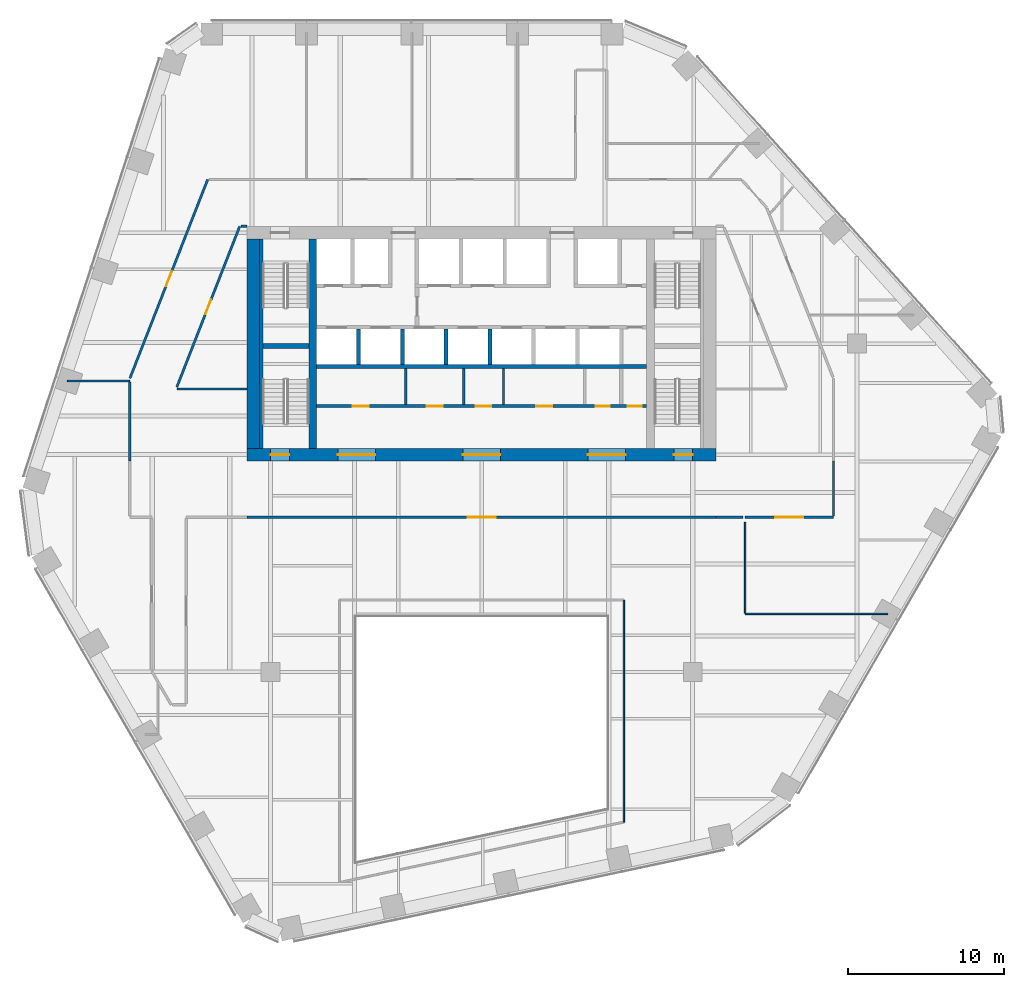
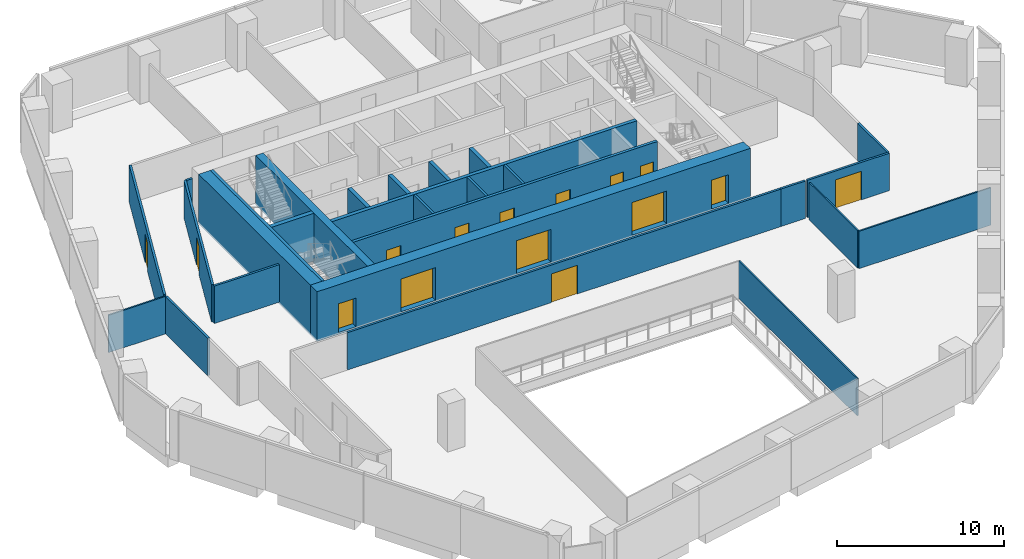
# One storey, part 11 of 16: 27 walls, 15 doors, 15 openings.
"""IFC4 building model written with IfcOpenShell, lengths in metres."""

from ifc_helpers import new_model, si_unit, direction, frame, frame_2d, origin, place, context, subcontext, project, spatial, rectangle, extrude, material, layer, layer_set, type_object, element, fill, save


model = new_model("IFC4")

# Units and contexts
model_context = context("Model", 3, precision=1e-05, world=origin(), true_north=direction((0.0, 1.0)))
body_context = subcontext(model_context, "Body", "Model", "MODEL_VIEW")
ifc_project = project(units=[si_unit("LENGTHUNIT", "METRE"), si_unit("AREAUNIT", "SQUARE_METRE"), si_unit("VOLUMEUNIT", "CUBIC_METRE"), si_unit("PLANEANGLEUNIT", "RADIAN"), si_unit("MASSUNIT", "GRAM", prefix="KILO")], contexts=[model_context])

# Site, building, storey
site_placement = place(None, origin())
site = spatial("IfcSite", under=ifc_project, at=site_placement, CompositionType="ELEMENT")
building_placement = place(site_placement, origin())
building = spatial("IfcBuilding", under=site, at=building_placement, Name="Isthmus Gate Tower", CompositionType="ELEMENT")
storey_placement = place(building_placement, frame((0.0, 0.0, 133.449951171875)))
storey = spatial("IfcBuildingStorey", under=building, at=storey_placement, Name="L32", CompositionType="ELEMENT", Elevation=133.449951171875)

# Wall
ifc_material_1 = material(Name="Fire-rated laminated glass in steel frame", Category="steel")
ifc_layer_1 = layer(ifc_material_1, 0.10009765625)
ifc_layer_set_1 = layer_set([ifc_layer_1], Name="ATRIUM SCREEN GLAZED WALL 100 120 MIN")
wall_type_1 = type_object("IfcWallType", Name="ATRIUM SCREEN GLAZED WALL 100 120 MIN", PredefinedType="PARTITIONING", material=ifc_layer_set_1)
wall_1_placement = place(storey_placement, frame((9.10009765625, -8.89990234375, 0.0), z_axis=(0.0, 0.0, 1.0), x_axis=(0.0, -1.0, 0.0)))
element("IfcWall", 1, at=wall_1_placement, inside=storey, type_object=wall_type_1, Name="L32 atrium screen", PredefinedType="PARTITIONING", context=body_context, shape_type="SweptSolid", body=[
    extrude(rectangle(XDim=14.200927734375, YDim=0.10009765625, at=frame_2d((7.1005859375, 0.0))), origin(), (0.0, 0.0, 1.0), 2.7412109375),
])

# Wall, opening, door
ifc_material_2 = material(Name="Gypsum board on steel studs, fire-rated", Category="steel")
ifc_layer_2 = layer(ifc_material_2, 0.14990234375)
ifc_layer_set_2 = layer_set([ifc_layer_2], Name="CORRIDOR WALL 150 60 MIN")
wall_type_2 = type_object("IfcWallType", Name="CORRIDOR WALL 150 60 MIN", PredefinedType="PARTITIONING", material=ifc_layer_set_2)
wall_2_placement = place(storey_placement, frame((15.0, -3.60009765625, 0.0), z_axis=(0.0, 0.0, 1.0), x_axis=(-1.0, 0.0, 0.0)))
wall_2 = element("IfcWall", 2, at=wall_2_placement, inside=storey, type_object=wall_type_2, Name="L32 Corridor Wall 150 60 Min", PredefinedType="PARTITIONING", context=body_context, shape_type="SweptSolid", body=[
    extrude(rectangle(XDim=30.0, YDim=0.14990234375, at=frame_2d((15.0, 0.0))), origin(), (0.0, 0.0, 1.0), 2.7412109375),
])
opening_1_placement = place(wall_2_placement, frame((14.10009765625, 0.0, 0.0)))
opening_1 = element("IfcOpeningElement", 3, at=opening_1_placement, cuts=wall_2, Name="Opening DT-T3A-09", PredefinedType="OPENING", context=body_context, shape_type="SweptSolid", body=[
    extrude(rectangle(XDim=1.800048828125, YDim=2.10009765625, at=frame_2d((0.89990234375, 1.050048828125))), frame((0.0, 0.0849609375, 0.0), z_axis=(0.0, -1.0, 0.0), x_axis=(1.0, 0.0, 0.0)), (0.0, 0.0, 1.0), 0.169921875),
])
ifc_material_3 = material(Name="Solid core timber door leaf, fire-rated", Category="wood")
door_type_1 = type_object("IfcDoorType", Name="FIRE DOOR ROOM 1800 X 2100 60 MIN", OperationType="DOUBLE_DOOR_DOUBLE_SWING", PredefinedType="DOOR", material=ifc_material_3)
door_1_placement = place(opening_1_placement, origin())
door_1 = element("IfcDoor", 4, at=door_1_placement, inside=storey, type_object=door_type_1, Name="L32 room door", OperationType="DOUBLE_DOOR_DOUBLE_SWING", OverallHeight=2.10009765625, OverallWidth=1.800048828125, PredefinedType="DOOR", context=body_context, shape_type="SweptSolid", body=[
    extrude(rectangle(XDim=1.800048828125, YDim=2.10009765625, at=frame_2d((0.89990234375, 1.050048828125))), frame((0.0, 0.02490234375, 0.0), z_axis=(0.0, -1.0, 0.0), x_axis=(1.0, 0.0, 0.0)), (0.0, 0.0, 1.0), 0.050048828125),
])
fill(opening_1, door_1)

wall_3_placement = place(storey_placement, frame((22.5, -3.60009765625, 0.0), z_axis=(0.0, 0.0, 1.0), x_axis=(-1.0, 0.0, 0.0)))
wall_3 = element("IfcWall", 5, at=wall_3_placement, inside=storey, type_object=wall_type_2, Name="L32 Corridor Wall 150 60 Min", PredefinedType="PARTITIONING", context=body_context, shape_type="SweptSolid", body=[
    extrude(rectangle(XDim=5.64990234375, YDim=0.14990234375, at=frame_2d((2.824951171875, 0.0))), origin(), (0.0, 0.0, 1.0), 2.7412109375),
])
opening_2_placement = place(wall_3_placement, frame((1.925048828125, 0.0, 0.0)))
opening_2 = element("IfcOpeningElement", 6, at=opening_2_placement, cuts=wall_3, Name="Opening DT-T3A-07", PredefinedType="OPENING", context=body_context, shape_type="SweptSolid", body=[
    extrude(rectangle(XDim=1.800048828125, YDim=2.10009765625, at=frame_2d((0.89990234375, 1.050048828125))), frame((0.0, 0.0849609375, 0.0), z_axis=(0.0, -1.0, 0.0), x_axis=(1.0, 0.0, 0.0)), (0.0, 0.0, 1.0), 0.169921875),
])
door_2_placement = place(opening_2_placement, origin())
door_2 = element("IfcDoor", 7, at=door_2_placement, inside=storey, type_object=door_type_1, Name="L32 room door", OperationType="DOUBLE_DOOR_DOUBLE_SWING", OverallHeight=2.10009765625, OverallWidth=1.800048828125, PredefinedType="DOOR", context=body_context, shape_type="SweptSolid", body=[
    extrude(rectangle(XDim=1.800048828125, YDim=2.10009765625, at=frame_2d((0.89990234375, 1.050048828125))), frame((0.0, 0.02490234375, 0.0), z_axis=(0.0, -1.0, 0.0), x_axis=(1.0, 0.0, 0.0)), (0.0, 0.0, 1.0), 0.050048828125),
])
fill(opening_2, door_2)

# Walls
wall_4_placement = place(storey_placement, frame((22.5, 0.0, 0.0), z_axis=(0.0, 0.0, 1.0), x_axis=(0.0, -1.0, 0.0)))
element("IfcWall", 8, at=wall_4_placement, inside=storey, type_object=wall_type_2, Name="L32 Corridor Wall 150 60 Min", PredefinedType="PARTITIONING", context=body_context, shape_type="SweptSolid", body=[
    extrude(rectangle(XDim=3.52490234375, YDim=0.14990234375, at=frame_2d((1.762451171875, 0.0))), origin(), (0.0, 0.0, 1.0), 2.7412109375),
])
wall_5_placement = place(storey_placement, frame((16.714111328125, -3.60009765625, 0.0), z_axis=(0.0, 0.0, 1.0), x_axis=(-1.0, 0.0, 0.0)))
element("IfcWall", 9, at=wall_5_placement, inside=storey, type_object=wall_type_2, Name="L32 Corridor Wall 150 60 Min", PredefinedType="PARTITIONING", context=body_context, shape_type="SweptSolid", body=[
    extrude(rectangle(XDim=1.714111328125, YDim=0.14990234375, at=frame_2d((0.85693359375, 0.0))), origin(), (0.0, 0.0, 1.0), 2.7412109375),
])

# Wall, opening, door
wall_6_placement = place(storey_placement, frame((-15.47607421875, 15.0, 0.0), z_axis=(0.0, 0.0, 1.0), x_axis=(-0.364411853206, -0.931237886494, 0.0)))
wall_6 = element("IfcWall", 10, at=wall_6_placement, inside=storey, type_object=wall_type_2, Name="L32 Corridor Wall 150 60 Min", PredefinedType="PARTITIONING", context=body_context, shape_type="SweptSolid", body=[
    extrude(rectangle(XDim=11.042236328125, YDim=0.14990234375, at=frame_2d((5.52099609375, 0.0))), origin(), (0.0, 0.0, 1.0), 2.7412109375),
])
opening_3_placement = place(wall_6_placement, frame((5.021240234375, 0.0, 0.0)))
opening_3 = element("IfcOpeningElement", 11, at=opening_3_placement, cuts=wall_6, Name="Opening DT-T3A-05", PredefinedType="OPENING", context=body_context, shape_type="SweptSolid", body=[
    extrude(rectangle(XDim=1.0, YDim=2.10009765625, at=frame_2d((0.5, 1.050048828125))), frame((0.0, 0.0849609375, 0.0), z_axis=(0.0, -1.0, 0.0), x_axis=(1.0, 0.0, 0.0)), (0.0, 0.0, 1.0), 0.169921875),
])
ifc_material_4 = material(Name="Solid core timber door leaf, fire-rated", Category="wood")
door_type_2 = type_object("IfcDoorType", Name="FIRE DOOR ROOM 1000 X 2100 60 MIN", OperationType="SINGLE_SWING_LEFT", PredefinedType="DOOR", material=ifc_material_4)
door_3_placement = place(opening_3_placement, origin())
door_3 = element("IfcDoor", 12, at=door_3_placement, inside=storey, type_object=door_type_2, Name="L32 room door", OperationType="SINGLE_SWING_RIGHT", OverallHeight=2.10009765625, OverallWidth=1.0, PredefinedType="DOOR", context=body_context, shape_type="SweptSolid", body=[
    extrude(rectangle(XDim=1.0, YDim=2.10009765625, at=frame_2d((0.5, 1.050048828125))), frame((0.0, 0.02490234375, 0.0), z_axis=(0.0, -1.0, 0.0), x_axis=(1.0, 0.0, 0.0)), (0.0, 0.0, 1.0), 0.050048828125),
])
fill(opening_3, door_3)

# Wall
wall_7_placement = place(storey_placement, frame((-15.0, 15.0, 0.0), z_axis=(0.0, 0.0, 1.0), x_axis=(-1.0, 0.0, 0.0)))
element("IfcWall", 13, at=wall_7_placement, inside=storey, type_object=wall_type_2, Name="L32 Corridor Wall 150 60 Min", PredefinedType="PARTITIONING", context=body_context, shape_type="SweptSolid", body=[
    extrude(rectangle(XDim=0.40087890625, YDim=0.14990234375, at=frame_2d((0.200439453125, 0.0))), origin(), (0.0, 0.0, 1.0), 2.7412109375),
])

# Wall, opening, door
wall_8_placement = place(storey_placement, frame((-22.5, 5.282958984375, 0.0), z_axis=(0.0, 0.0, 1.0), x_axis=(0.364389237236, 0.931246736256, 0.0)))
wall_8 = element("IfcWall", 14, at=wall_8_placement, inside=storey, type_object=wall_type_2, Name="L32 Corridor Wall 150 60 Min", PredefinedType="PARTITIONING", context=body_context, shape_type="SweptSolid", body=[
    extrude(rectangle(XDim=13.656005859375, YDim=0.14990234375, at=frame_2d((6.828125, 0.0))), origin(), (0.0, 0.0, 1.0), 2.7412109375),
])
opening_4_placement = place(wall_8_placement, frame((6.327880859375, 0.0, 0.0)))
opening_4 = element("IfcOpeningElement", 15, at=opening_4_placement, cuts=wall_8, Name="Opening DT-T3A-04", PredefinedType="OPENING", context=body_context, shape_type="SweptSolid", body=[
    extrude(rectangle(XDim=1.0, YDim=2.10009765625, at=frame_2d((0.5, 1.050048828125))), frame((0.0, 0.0849609375, 0.0), z_axis=(0.0, -1.0, 0.0), x_axis=(1.0, 0.0, 0.0)), (0.0, 0.0, 1.0), 0.169921875),
])
door_4_placement = place(opening_4_placement, origin())
door_4 = element("IfcDoor", 16, at=door_4_placement, inside=storey, type_object=door_type_2, Name="L32 room door", OperationType="SINGLE_SWING_RIGHT", OverallHeight=2.10009765625, OverallWidth=1.0, PredefinedType="DOOR", context=body_context, shape_type="SweptSolid", body=[
    extrude(rectangle(XDim=1.0, YDim=2.10009765625, at=frame_2d((0.5, 1.050048828125))), frame((0.0, 0.02490234375, 0.0), z_axis=(0.0, -1.0, 0.0), x_axis=(1.0, 0.0, 0.0)), (0.0, 0.0, 1.0), 0.050048828125),
])
fill(opening_4, door_4)

# Walls
wall_9_placement = place(storey_placement, frame((-19.5, 4.60009765625, 0.0), z_axis=(0.0, 0.0, 1.0), x_axis=(1.0, 0.0, 0.0)))
element("IfcWall", 17, at=wall_9_placement, inside=storey, type_object=wall_type_2, Name="L32 Corridor Wall 150 60 Min", PredefinedType="PARTITIONING", context=body_context, shape_type="SweptSolid", body=[
    extrude(rectangle(XDim=4.5, YDim=0.14990234375, at=frame_2d((2.25, 0.0))), origin(), (0.0, 0.0, 1.0), 2.7412109375),
])
wall_10_placement = place(storey_placement, frame((-22.5, 0.0, 0.0), z_axis=(0.0, 0.0, 1.0), x_axis=(0.0, 1.0, 0.0)))
element("IfcWall", 18, at=wall_10_placement, inside=storey, type_object=wall_type_2, Name="L32 Corridor Wall 150 60 Min", PredefinedType="PARTITIONING", context=body_context, shape_type="SweptSolid", body=[
    extrude(rectangle(XDim=5.06103515625, YDim=0.14990234375, at=frame_2d((2.530517578125, 0.0))), origin(), (0.0, 0.0, 1.0), 2.7412109375),
])
ifc_material_5 = material(Name="Concrete f'c 60 MPa", Category="concrete")
ifc_layer_3 = layer(ifc_material_5, 0.5)
ifc_layer_set_3 = layer_set([ifc_layer_3], Name="RC CORE SPINE WALL 500 F'C 60")
wall_type_3 = type_object("IfcWallType", Name="RC CORE SPINE WALL 500 F'C 60", PredefinedType="SOLIDWALL", material=ifc_layer_set_3)
wall_11_placement = place(storey_placement, frame((-10.800048828125, 0.800048828125, -0.14990234375), z_axis=(0.0, 0.0, 1.0), x_axis=(0.0, 1.0, 0.0)))
element("IfcWall", 19, at=wall_11_placement, inside=storey, type_object=wall_type_3, Name="str-corewall-L32-SPW", PredefinedType="SOLIDWALL", context=body_context, shape_type="SweptSolid", body=[
    extrude(rectangle(XDim=13.39990234375, YDim=0.5, at=frame_2d((6.699951171875, 0.0))), origin(), (0.0, 0.0, 1.0), 3.64990234375),
])

# Wall, openings, doors
ifc_material_6 = material(Name="Concrete f'c 60 MPa", Category="concrete")
ifc_layer_4 = layer(ifc_material_6, 0.800048828125)
ifc_layer_set_4 = layer_set([ifc_layer_4], Name="RC CORE WALL 800 F'C 60")
wall_type_4 = type_object("IfcWallType", Name="RC CORE WALL 800 F'C 60", PredefinedType="SOLIDWALL", material=ifc_layer_set_4)
wall_12_placement = place(storey_placement, frame((-15.0, 0.39990234375, -0.14990234375), z_axis=(0.0, 0.0, 1.0), x_axis=(1.0, 0.0, 0.0)))
wall_12 = element("IfcWall", 20, at=wall_12_placement, inside=storey, type_object=wall_type_4, Name="str-corewall-L32-S", PredefinedType="SOLIDWALL", context=body_context, shape_type="SweptSolid", body=[
    extrude(rectangle(XDim=30.0, YDim=0.800048828125, at=frame_2d((15.0, 0.0))), origin(), (0.0, 0.0, 1.0), 3.64990234375),
])
opening_5_placement = place(wall_12_placement, frame((5.800048828125, 0.0, 0.14990234375)))
opening_5 = element("IfcOpeningElement", 21, at=opening_5_placement, cuts=wall_12, Name="Opening DC-A11-10", PredefinedType="OPENING", context=body_context, shape_type="SweptSolid", body=[
    extrude(rectangle(XDim=2.39990234375, YDim=2.39990234375, at=frame_2d((1.199951171875, 1.199951171875))), frame((0.0, 0.409912109375, 0.0), z_axis=(0.0, -1.0, 0.0), x_axis=(1.0, 0.0, 0.0)), (0.0, 0.0, 1.0), 0.820068359375),
])
opening_6_placement = place(wall_12_placement, frame((13.800048828125, 0.0, 0.14990234375)))
opening_6 = element("IfcOpeningElement", 22, at=opening_6_placement, cuts=wall_12, Name="Opening DC-A11-11", PredefinedType="OPENING", context=body_context, shape_type="SweptSolid", body=[
    extrude(rectangle(XDim=2.39990234375, YDim=2.39990234375, at=frame_2d((1.199951171875, 1.199951171875))), frame((0.0, 0.409912109375, 0.0), z_axis=(0.0, -1.0, 0.0), x_axis=(1.0, 0.0, 0.0)), (0.0, 0.0, 1.0), 0.820068359375),
])
opening_7_placement = place(wall_12_placement, frame((21.800048828125, 0.0, 0.14990234375)))
opening_7 = element("IfcOpeningElement", 23, at=opening_7_placement, cuts=wall_12, Name="Opening DC-A11-12", PredefinedType="OPENING", context=body_context, shape_type="SweptSolid", body=[
    extrude(rectangle(XDim=2.39990234375, YDim=2.39990234375, at=frame_2d((1.199951171875, 1.199951171875))), frame((0.0, 0.409912109375, 0.0), z_axis=(0.0, -1.0, 0.0), x_axis=(1.0, 0.0, 0.0)), (0.0, 0.0, 1.0), 0.820068359375),
])
opening_8_placement = place(wall_12_placement, frame((1.5, 0.0, 0.14990234375)))
opening_8 = element("IfcOpeningElement", 24, at=opening_8_placement, cuts=wall_12, Name="Opening DC-A11-17", PredefinedType="OPENING", context=body_context, shape_type="SweptSolid", body=[
    extrude(rectangle(XDim=1.199951171875, YDim=2.10009765625, at=frame_2d((0.60009765625, 1.050048828125))), frame((0.0, 0.409912109375, 0.0), z_axis=(0.0, -1.0, 0.0), x_axis=(1.0, 0.0, 0.0)), (0.0, 0.0, 1.0), 0.820068359375),
])
opening_9_placement = place(wall_12_placement, frame((27.300048828125, 0.0, 0.14990234375)))
opening_9 = element("IfcOpeningElement", 25, at=opening_9_placement, cuts=wall_12, Name="Opening DC-A11-18", PredefinedType="OPENING", context=body_context, shape_type="SweptSolid", body=[
    extrude(rectangle(XDim=1.199951171875, YDim=2.10009765625, at=frame_2d((0.60009765625, 1.050048828125))), frame((0.0, 0.409912109375, 0.0), z_axis=(0.0, -1.0, 0.0), x_axis=(1.0, 0.0, 0.0)), (0.0, 0.0, 1.0), 0.820068359375),
])
ifc_material_7 = material(Name="Laminated safety glass in steel frame, fire-rated", Category="steel")
door_type_3 = type_object("IfcDoorType", Name="LOBBY ENTRANCE FIRE DOOR 2400 X 2400 60 MIN", OperationType="DOUBLE_DOOR_DOUBLE_SWING", PredefinedType="DOOR", material=ifc_material_7)
door_5_placement = place(opening_5_placement, origin())
door_5 = element("IfcDoor", 26, at=door_5_placement, inside=storey, type_object=door_type_3, Name="Lobby Entrance PS-W", OperationType="DOUBLE_DOOR_DOUBLE_SWING", OverallHeight=2.39990234375, OverallWidth=2.39990234375, PredefinedType="DOOR", context=body_context, shape_type="SweptSolid", body=[
    extrude(rectangle(XDim=2.39990234375, YDim=2.39990234375, at=frame_2d((1.199951171875, 1.199951171875))), frame((0.0, 0.02490234375, 0.0), z_axis=(0.0, -1.0, 0.0), x_axis=(1.0, 0.0, 0.0)), (0.0, 0.0, 1.0), 0.050048828125),
])
fill(opening_5, door_5)
door_6_placement = place(opening_6_placement, origin())
door_6 = element("IfcDoor", 27, at=door_6_placement, inside=storey, type_object=door_type_3, Name="Lobby Entrance PS-C", OperationType="DOUBLE_DOOR_DOUBLE_SWING", OverallHeight=2.39990234375, OverallWidth=2.39990234375, PredefinedType="DOOR", context=body_context, shape_type="SweptSolid", body=[
    extrude(rectangle(XDim=2.39990234375, YDim=2.39990234375, at=frame_2d((1.199951171875, 1.199951171875))), frame((0.0, 0.02490234375, 0.0), z_axis=(0.0, -1.0, 0.0), x_axis=(1.0, 0.0, 0.0)), (0.0, 0.0, 1.0), 0.050048828125),
])
fill(opening_6, door_6)
door_7_placement = place(opening_7_placement, origin())
door_7 = element("IfcDoor", 28, at=door_7_placement, inside=storey, type_object=door_type_3, Name="Lobby Entrance PS-E", OperationType="DOUBLE_DOOR_DOUBLE_SWING", OverallHeight=2.39990234375, OverallWidth=2.39990234375, PredefinedType="DOOR", context=body_context, shape_type="SweptSolid", body=[
    extrude(rectangle(XDim=2.39990234375, YDim=2.39990234375, at=frame_2d((1.199951171875, 1.199951171875))), frame((0.0, 0.02490234375, 0.0), z_axis=(0.0, -1.0, 0.0), x_axis=(1.0, 0.0, 0.0)), (0.0, 0.0, 1.0), 0.050048828125),
])
fill(opening_7, door_7)
ifc_material_8 = material(Name="Steel door leaf, fire-rated", Category="steel")
door_type_4 = type_object("IfcDoorType", Name="STAIR FIRE DOOR 1200 X 2100 90 MIN", OperationType="SINGLE_SWING_LEFT", PredefinedType="DOOR", material=ifc_material_8)
door_8_placement = place(opening_8_placement, origin())
door_8 = element("IfcDoor", 29, at=door_8_placement, inside=storey, type_object=door_type_4, Name="Exit Stair 7 Door", OperationType="SINGLE_SWING_LEFT", OverallHeight=2.10009765625, OverallWidth=1.199951171875, PredefinedType="DOOR", context=body_context, shape_type="SweptSolid", body=[
    extrude(rectangle(XDim=1.199951171875, YDim=2.10009765625, at=frame_2d((0.60009765625, 1.050048828125))), frame((0.0, 0.02490234375, 0.0), z_axis=(0.0, -1.0, 0.0), x_axis=(1.0, 0.0, 0.0)), (0.0, 0.0, 1.0), 0.050048828125),
])
fill(opening_8, door_8)
door_9_placement = place(opening_9_placement, origin())
door_9 = element("IfcDoor", 30, at=door_9_placement, inside=storey, type_object=door_type_4, Name="Exit Stair 8 Door", OperationType="SINGLE_SWING_RIGHT", OverallHeight=2.10009765625, OverallWidth=1.199951171875, PredefinedType="DOOR", context=body_context, shape_type="SweptSolid", body=[
    extrude(rectangle(XDim=1.199951171875, YDim=2.10009765625, at=frame_2d((0.60009765625, 1.050048828125))), frame((0.0, 0.02490234375, 0.0), z_axis=(0.0, -1.0, 0.0), x_axis=(1.0, 0.0, 0.0)), (0.0, 0.0, 1.0), 0.050048828125),
])
fill(opening_9, door_9)

# Walls
wall_13_placement = place(storey_placement, frame((-14.60009765625, 0.800048828125, -0.14990234375), z_axis=(0.0, 0.0, 1.0), x_axis=(0.0, 1.0, 0.0)))
element("IfcWall", 31, at=wall_13_placement, inside=storey, type_object=wall_type_4, Name="str-corewall-L32-W", PredefinedType="SOLIDWALL", context=body_context, shape_type="SweptSolid", body=[
    extrude(rectangle(XDim=13.39990234375, YDim=0.800048828125, at=frame_2d((6.699951171875, 0.0))), origin(), (0.0, 0.0, 1.0), 3.64990234375),
])
ifc_material_9 = material(Name="Gypsum board on steel studs, fire-rated", Category="steel")
ifc_layer_5 = layer(ifc_material_9, 0.10009765625)
ifc_layer_set_5 = layer_set([ifc_layer_5], Name="ROOM PARTITION 100 30 MIN")
wall_type_5 = type_object("IfcWallType", Name="ROOM PARTITION 100 30 MIN", PredefinedType="PARTITIONING", material=ifc_layer_set_5)
wall_14_placement = place(storey_placement, frame((-26.506103515625, 5.111083984375, 0.0), z_axis=(0.0, 0.0, 1.0), x_axis=(1.0, 0.0, 0.0)))
element("IfcWall", 32, at=wall_14_placement, inside=storey, type_object=wall_type_5, Name="L32 Room Partition 100 30 Min", PredefinedType="PARTITIONING", context=body_context, shape_type="SweptSolid", body=[
    extrude(rectangle(XDim=3.981201171875, YDim=0.10009765625, at=frame_2d((1.99072265625, 0.0))), origin(), (0.0, 0.0, 1.0), 2.7412109375),
])
wall_15_placement = place(storey_placement, frame((16.85009765625, -9.785888671875, 0.0), z_axis=(0.0, 0.0, 1.0), x_axis=(1.0, 0.0, 0.0)))
element("IfcWall", 33, at=wall_15_placement, inside=storey, type_object=wall_type_5, Name="L32 Room Partition 100 30 Min", PredefinedType="PARTITIONING", context=body_context, shape_type="SweptSolid", body=[
    extrude(rectangle(XDim=9.138916015625, YDim=0.10009765625, at=frame_2d((4.5693359375, 0.0))), origin(), (0.0, 0.0, 1.0), 2.7412109375),
])
wall_16_placement = place(storey_placement, frame((16.85009765625, -9.736083984375, 0.0), z_axis=(0.0, 0.0, 1.0), x_axis=(0.0, 1.0, 0.0)))
element("IfcWall", 34, at=wall_16_placement, inside=storey, type_object=wall_type_5, Name="L32 Room Partition 100 30 Min", PredefinedType="PARTITIONING", context=body_context, shape_type="SweptSolid", body=[
    extrude(rectangle(XDim=5.796142578125, YDim=0.10009765625, at=frame_2d((2.89794921875, 0.0))), origin(), (0.0, 0.0, 1.0), 2.7412109375),
])
ifc_material_10 = material(Name="Gypsum board on steel studs, fire-rated", Category="steel")
ifc_layer_6 = layer(ifc_material_10, 0.14990234375)
ifc_layer_set_6 = layer_set([ifc_layer_6], Name="ROOM PARTITION 150 60 MIN")
wall_type_6 = type_object("IfcWallType", Name="ROOM PARTITION 150 60 MIN", PredefinedType="PARTITIONING", material=ifc_layer_set_6)
for number, where, z_axis, x_axis, name in (
    (35, (-4.85009765625, 3.60009765625, 0.0), (0.0, 0.0, 1.0), (0.0, 1.0, 0.0), "L32 ROOM PARTITION 150 60 MIN"),
    (36, (-1.14990234375, 3.60009765625, 0.0), (0.0, 0.0, 1.0), (0.0, 1.0, 0.0), "L32 ROOM PARTITION 150 60 MIN"),
    (37, (1.39990234375, 3.60009765625, 0.0), (0.0, 0.0, 1.0), (0.0, 1.0, 0.0), "L32 ROOM PARTITION 150 60 MIN"),
):
    element("IfcWall", number, at=place(storey_placement, frame(where, z_axis=z_axis, x_axis=x_axis)), inside=storey, type_object=wall_type_6, Name=name, PredefinedType="PARTITIONING", context=body_context, shape_type="SweptSolid", body=[
        extrude(rectangle(XDim=2.2998046875, YDim=0.14990234375, at=frame_2d((1.14990234375, 0.0))), origin(), (0.0, 0.0, 1.0), 3.5),
    ])

# Wall, openings, doors
ifc_material_11 = material(Name="Fire-rated blockwork masonry, 15 MPa", Category="masonry")
ifc_layer_7 = layer(ifc_material_11, 0.199951171875)
ifc_layer_set_7 = layer_set([ifc_layer_7], Name="SHAFT FRONT WALL 200 120 MIN")
wall_type_7 = type_object("IfcWallType", Name="SHAFT FRONT WALL 200 120 MIN", PredefinedType="PARTITIONING", material=ifc_layer_set_7)
wall_17_placement = place(storey_placement, frame((-10.550048828125, 3.5, 0.0), z_axis=(0.0, 0.0, 1.0), x_axis=(1.0, 0.0, 0.0)))
wall_17 = element("IfcWall", 38, at=wall_17_placement, inside=storey, type_object=wall_type_7, Name="L32 SHAFT FRONT WALL 200 120 MIN", PredefinedType="PARTITIONING", context=body_context, shape_type="SweptSolid", body=[
    extrude(rectangle(XDim=21.10009765625, YDim=0.199951171875, at=frame_2d((10.550048828125, 0.0))), origin(), (0.0, 0.0, 1.0), 3.5),
])
opening_10_placement = place(wall_17_placement, frame((2.3125, 0.0, 0.0)))
opening_10 = element("IfcOpeningElement", 39, at=opening_10_placement, cuts=wall_17, Name="Opening DC-A11-02", PredefinedType="OPENING", context=body_context, shape_type="SweptSolid", body=[
    extrude(rectangle(XDim=1.0, YDim=2.10009765625, at=frame_2d((0.5, 1.050048828125))), frame((0.0, 0.10986328125, 0.0), z_axis=(0.0, -1.0, 0.0), x_axis=(1.0, 0.0, 0.0)), (0.0, 0.0, 1.0), 0.219970703125),
])
opening_11_placement = place(wall_17_placement, frame((7.050048828125, 0.0, 0.0)))
opening_11 = element("IfcOpeningElement", 40, at=opening_11_placement, cuts=wall_17, Name="Opening DC-A11-03", PredefinedType="OPENING", context=body_context, shape_type="SweptSolid", body=[
    extrude(rectangle(XDim=1.0, YDim=2.10009765625, at=frame_2d((0.5, 1.050048828125))), frame((0.0, 0.10986328125, 0.0), z_axis=(0.0, -1.0, 0.0), x_axis=(1.0, 0.0, 0.0)), (0.0, 0.0, 1.0), 0.219970703125),
])
opening_12_placement = place(wall_17_placement, frame((10.175048828125, 0.0, 0.0)))
opening_12 = element("IfcOpeningElement", 41, at=opening_12_placement, cuts=wall_17, Name="Opening DC-A11-04", PredefinedType="OPENING", context=body_context, shape_type="SweptSolid", body=[
    extrude(rectangle(XDim=1.0, YDim=2.10009765625, at=frame_2d((0.5, 1.050048828125))), frame((0.0, 0.10986328125, 0.0), z_axis=(0.0, -1.0, 0.0), x_axis=(1.0, 0.0, 0.0)), (0.0, 0.0, 1.0), 0.219970703125),
])
opening_13_placement = place(wall_17_placement, frame((14.050048828125, 0.0, 0.0)))
opening_13 = element("IfcOpeningElement", 42, at=opening_13_placement, cuts=wall_17, Name="Opening DC-A11-05", PredefinedType="OPENING", context=body_context, shape_type="SweptSolid", body=[
    extrude(rectangle(XDim=1.0, YDim=2.10009765625, at=frame_2d((0.5, 1.050048828125))), frame((0.0, 0.10986328125, 0.0), z_axis=(0.0, -1.0, 0.0), x_axis=(1.0, 0.0, 0.0)), (0.0, 0.0, 1.0), 0.219970703125),
])
opening_14_placement = place(wall_17_placement, frame((17.83740234375, 0.0, 0.0)))
opening_14 = element("IfcOpeningElement", 43, at=opening_14_placement, cuts=wall_17, Name="Opening DC-A11-06", PredefinedType="OPENING", context=body_context, shape_type="SweptSolid", body=[
    extrude(rectangle(XDim=0.89990234375, YDim=2.10009765625, at=frame_2d((0.449951171875, 1.050048828125))), frame((0.0, 0.10986328125, 0.0), z_axis=(0.0, -1.0, 0.0), x_axis=(1.0, 0.0, 0.0)), (0.0, 0.0, 1.0), 0.219970703125),
])
opening_15_placement = place(wall_17_placement, frame((19.89990234375, 0.0, 0.0)))
opening_15 = element("IfcOpeningElement", 44, at=opening_15_placement, cuts=wall_17, Name="Opening DC-A11-07", PredefinedType="OPENING", context=body_context, shape_type="SweptSolid", body=[
    extrude(rectangle(XDim=0.89990234375, YDim=2.10009765625, at=frame_2d((0.449951171875, 1.050048828125))), frame((0.0, 0.10986328125, 0.0), z_axis=(0.0, -1.0, 0.0), x_axis=(1.0, 0.0, 0.0)), (0.0, 0.0, 1.0), 0.219970703125),
])
ifc_material_12 = material(Name="Steel door leaf, fire-rated", Category="steel")
door_type_5 = type_object("IfcDoorType", Name="FIRE DOOR 1000 X 2100 60 MIN", OperationType="SINGLE_SWING_LEFT", PredefinedType="DOOR", material=ifc_material_12)
door_10_placement = place(opening_10_placement, origin())
door_10 = element("IfcDoor", 45, at=door_10_placement, inside=storey, type_object=door_type_5, Name="WC Women Door", OperationType="SINGLE_SWING_LEFT", OverallHeight=2.10009765625, OverallWidth=1.0, PredefinedType="DOOR", context=body_context, shape_type="SweptSolid", body=[
    extrude(rectangle(XDim=1.0, YDim=2.10009765625, at=frame_2d((0.5, 1.050048828125))), frame((0.0, 0.02490234375, 0.0), z_axis=(0.0, -1.0, 0.0), x_axis=(1.0, 0.0, 0.0)), (0.0, 0.0, 1.0), 0.050048828125),
])
fill(opening_10, door_10)
door_11_placement = place(opening_11_placement, origin())
door_11 = element("IfcDoor", 46, at=door_11_placement, inside=storey, type_object=door_type_5, Name="WC Men Door", OperationType="SINGLE_SWING_RIGHT", OverallHeight=2.10009765625, OverallWidth=1.0, PredefinedType="DOOR", context=body_context, shape_type="SweptSolid", body=[
    extrude(rectangle(XDim=1.0, YDim=2.10009765625, at=frame_2d((0.5, 1.050048828125))), frame((0.0, 0.02490234375, 0.0), z_axis=(0.0, -1.0, 0.0), x_axis=(1.0, 0.0, 0.0)), (0.0, 0.0, 1.0), 0.050048828125),
])
fill(opening_11, door_11)
door_12_placement = place(opening_12_placement, origin())
door_12 = element("IfcDoor", 47, at=door_12_placement, inside=storey, type_object=door_type_5, Name="Accessible WC Door", OperationType="SINGLE_SWING_LEFT", OverallHeight=2.10009765625, OverallWidth=1.0, PredefinedType="DOOR", context=body_context, shape_type="SweptSolid", body=[
    extrude(rectangle(XDim=1.0, YDim=2.10009765625, at=frame_2d((0.5, 1.050048828125))), frame((0.0, 0.02490234375, 0.0), z_axis=(0.0, -1.0, 0.0), x_axis=(1.0, 0.0, 0.0)), (0.0, 0.0, 1.0), 0.050048828125),
])
fill(opening_12, door_12)
door_13_placement = place(opening_13_placement, origin())
door_13 = element("IfcDoor", 48, at=door_13_placement, inside=storey, type_object=door_type_5, Name="Pantry Door", OperationType="SINGLE_SWING_RIGHT", OverallHeight=2.10009765625, OverallWidth=1.0, PredefinedType="DOOR", context=body_context, shape_type="SweptSolid", body=[
    extrude(rectangle(XDim=1.0, YDim=2.10009765625, at=frame_2d((0.5, 1.050048828125))), frame((0.0, 0.02490234375, 0.0), z_axis=(0.0, -1.0, 0.0), x_axis=(1.0, 0.0, 0.0)), (0.0, 0.0, 1.0), 0.050048828125),
])
fill(opening_13, door_13)
ifc_material_13 = material(Name="Steel door leaf, fire-rated", Category="steel")
door_type_6 = type_object("IfcDoorType", Name="FIRE DOOR 900 X 2100 60 MIN", OperationType="SINGLE_SWING_LEFT", PredefinedType="DOOR", material=ifc_material_13)
door_14_placement = place(opening_14_placement, origin())
door_14 = element("IfcDoor", 49, at=door_14_placement, inside=storey, type_object=door_type_6, Name="IT Room Door", OperationType="SINGLE_SWING_LEFT", OverallHeight=2.10009765625, OverallWidth=0.89990234375, PredefinedType="DOOR", context=body_context, shape_type="SweptSolid", body=[
    extrude(rectangle(XDim=0.89990234375, YDim=2.10009765625, at=frame_2d((0.449951171875, 1.050048828125))), frame((0.0, 0.02490234375, 0.0), z_axis=(0.0, -1.0, 0.0), x_axis=(1.0, 0.0, 0.0)), (0.0, 0.0, 1.0), 0.050048828125),
])
fill(opening_14, door_14)
ifc_material_14 = material(Name="Steel door leaf, fire-rated", Category="steel")
door_type_7 = type_object("IfcDoorType", Name="RISER FIRE DOOR 900 X 2100 90 MIN", OperationType="SINGLE_SWING_LEFT", PredefinedType="DOOR", material=ifc_material_14)
door_15_placement = place(opening_15_placement, origin())
door_15 = element("IfcDoor", 50, at=door_15_placement, inside=storey, type_object=door_type_7, Name="Riser Door", OperationType="SINGLE_SWING_RIGHT", OverallHeight=2.10009765625, OverallWidth=0.89990234375, PredefinedType="DOOR", context=body_context, shape_type="SweptSolid", body=[
    extrude(rectangle(XDim=0.89990234375, YDim=2.10009765625, at=frame_2d((0.449951171875, 1.050048828125))), frame((0.0, 0.02490234375, 0.0), z_axis=(0.0, -1.0, 0.0), x_axis=(1.0, 0.0, 0.0)), (0.0, 0.0, 1.0), 0.050048828125),
])
fill(opening_15, door_15)

# Walls
ifc_material_15 = material(Name="Fire-rated blockwork masonry, 15 MPa", Category="masonry")
ifc_layer_8 = layer(ifc_material_15, 0.25)
ifc_layer_set_8 = layer_set([ifc_layer_8], Name="SHAFT WALL 250 120 MIN")
wall_type_8 = type_object("IfcWallType", Name="SHAFT WALL 250 120 MIN", PredefinedType="PARTITIONING", material=ifc_layer_set_8)
wall_18_placement = place(storey_placement, frame((-10.550048828125, 6.02490234375, 0.0), z_axis=(0.0, 0.0, 1.0), x_axis=(1.0, 0.0, 0.0)))
element("IfcWall", 51, at=wall_18_placement, inside=storey, type_object=wall_type_8, Name="L32 SHAFT WALL 250 120 MIN", PredefinedType="PARTITIONING", context=body_context, shape_type="SweptSolid", body=[
    extrude(rectangle(XDim=21.10009765625, YDim=0.25, at=frame_2d((10.550048828125, 0.0))), origin(), (0.0, 0.0, 1.0), 3.5),
])
for number, where, z_axis, x_axis, name in (
    (52, (-7.875, 6.14990234375, 0.0), (0.0, 0.0, 1.0), (0.0, 1.0, 0.0), "L32 SHAFT WALL 250 120 MIN"),
    (53, (-5.074951171875, 6.14990234375, 0.0), (0.0, 0.0, 1.0), (0.0, 1.0, 0.0), "L32 SHAFT WALL 250 120 MIN"),
    (54, (-2.27490234375, 6.14990234375, 0.0), (0.0, 0.0, 1.0), (0.0, 1.0, 0.0), "L32 SHAFT WALL 250 120 MIN"),
    (55, (0.52490234375, 6.14990234375, 0.0), (0.0, 0.0, 1.0), (0.0, 1.0, 0.0), "L32 SHAFT WALL 250 120 MIN"),
):
    element("IfcWall", number, at=place(storey_placement, frame(where, z_axis=z_axis, x_axis=x_axis)), inside=storey, type_object=wall_type_8, Name=name, PredefinedType="PARTITIONING", context=body_context, shape_type="SweptSolid", body=[
        extrude(rectangle(XDim=2.300048828125, YDim=0.25, at=frame_2d((1.14990234375, 0.0))), origin(), (0.0, 0.0, 1.0), 3.5),
    ])
ifc_material_16 = material(Name="Concrete f'c 40 MPa", Category="concrete")
ifc_layer_9 = layer(ifc_material_16, 0.199951171875)
ifc_layer_set_9 = layer_set([ifc_layer_9], Name="STAIR ENCLOSURE WALL 200 180 MIN")
wall_type_9 = type_object("IfcWallType", Name="STAIR ENCLOSURE WALL 200 180 MIN", PredefinedType="SOLIDWALL", material=ifc_layer_set_9)
wall_19_placement = place(storey_placement, frame((-14.10009765625, 0.800048828125, 0.0), z_axis=(0.0, 0.0, 1.0), x_axis=(0.0, 1.0, 0.0)))
element("IfcWall", 56, at=wall_19_placement, inside=storey, type_object=wall_type_9, Name="L32 STAIR ENCLOSURE WALL 200 180 MIN", PredefinedType="SOLIDWALL", context=body_context, shape_type="SweptSolid", body=[
    extrude(rectangle(XDim=13.39990234375, YDim=0.199951171875, at=frame_2d((6.699951171875, 0.0))), origin(), (0.0, 0.0, 1.0), 3.5),
])
ifc_material_17 = material(Name="Concrete f'c 40 MPa", Category="concrete")
ifc_layer_10 = layer(ifc_material_17, 0.300048828125)
ifc_layer_set_10 = layer_set([ifc_layer_10], Name="STAIR ENCLOSURE WALL 300 180 MIN")
wall_type_10 = type_object("IfcWallType", Name="STAIR ENCLOSURE WALL 300 180 MIN", PredefinedType="SOLIDWALL", material=ifc_layer_set_10)
wall_20_placement = place(storey_placement, frame((-14.0, 7.35009765625, 0.0), z_axis=(0.0, 0.0, 1.0), x_axis=(1.0, 0.0, 0.0)))
element("IfcWall", 57, at=wall_20_placement, inside=storey, type_object=wall_type_10, Name="L32 STAIR ENCLOSURE WALL 300 180 MIN", PredefinedType="SOLIDWALL", context=body_context, shape_type="SweptSolid", body=[
    extrude(rectangle(XDim=2.949951171875, YDim=0.300048828125, at=frame_2d((1.47509765625, 0.0))), origin(), (0.0, 0.0, 1.0), 3.5),
])

save(model, "model.ifc")
